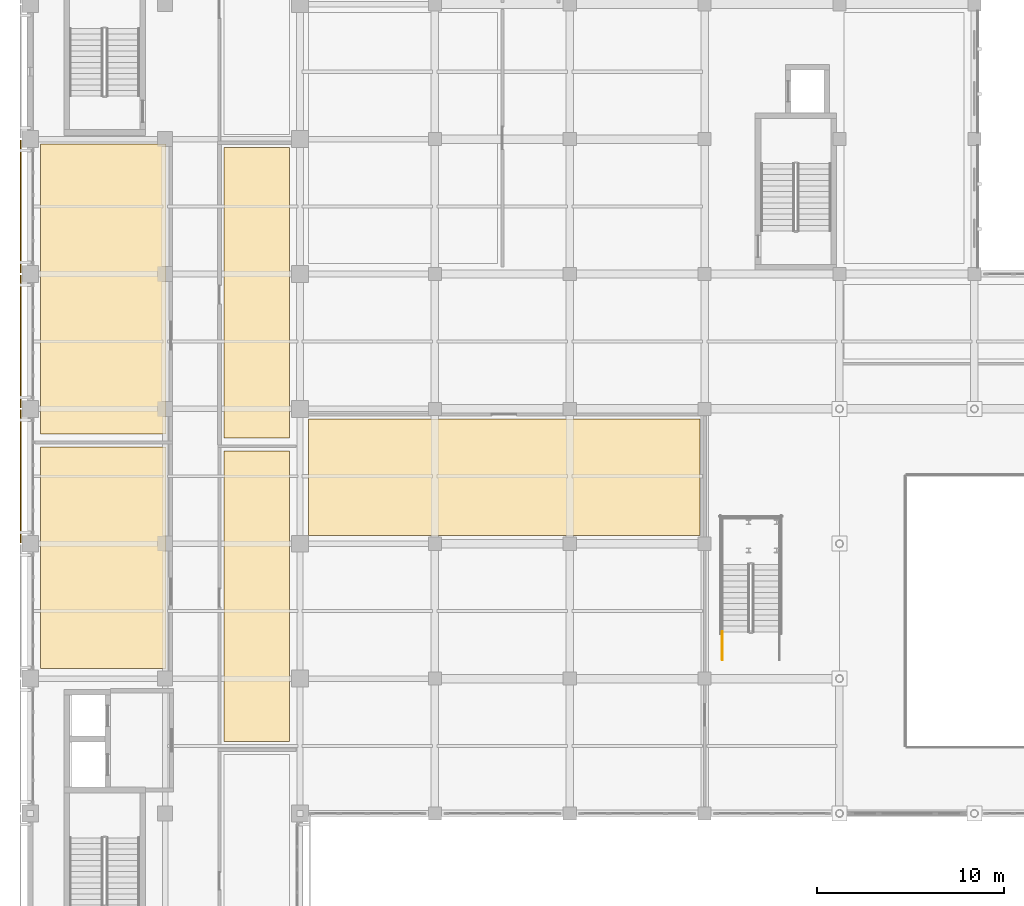
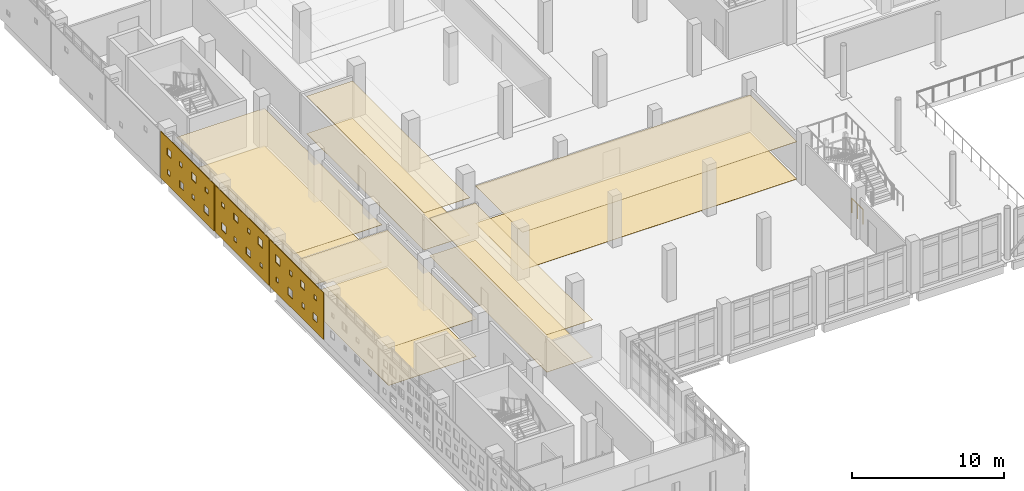
# One storey, part 53 of 62: 13 coverings, 1 railing.
"""IFC4 building model written with IfcOpenShell, lengths in metres."""

from ifc_helpers import new_model, si_unit, direction, frame, origin, origin_2d, place, context, subcontext, project, spatial, polyline, circle, outline, extrude, material, layer, layer_set, type_object, element, save


model = new_model("IFC4")

# Units and contexts
model_context = context("Model", 3, precision=1e-05, world=origin(), true_north=direction((0.0, 1.0)))
body_context = subcontext(model_context, "Body", "Model", "MODEL_VIEW")
ifc_project = project(units=[si_unit("LENGTHUNIT", "METRE"), si_unit("AREAUNIT", "SQUARE_METRE"), si_unit("VOLUMEUNIT", "CUBIC_METRE"), si_unit("PLANEANGLEUNIT", "RADIAN"), si_unit("MASSUNIT", "GRAM", prefix="KILO")], contexts=[model_context])

# Site, building, storey
site_placement = place(None, origin())
site = spatial("IfcSite", under=ifc_project, at=site_placement, CompositionType="ELEMENT")
building_placement = place(site_placement, origin())
building = spatial("IfcBuilding", under=site, at=building_placement, Name="Valkovuoma Quantum and Materials Research Institute", CompositionType="ELEMENT")
storey_placement = place(building_placement, frame((0.0, 0.0, 8.9599609375)))
storey = spatial("IfcBuildingStorey", under=building, at=storey_placement, Name="L02", CompositionType="ELEMENT", Elevation=8.9599609375)

# Coverings
ifc_material_1 = material(Name="Cleanable acoustic mineral-fibre suspended ceiling", Category="masonry")
ifc_layer_1 = layer(ifc_material_1, 0.02490234375)
ifc_layer_set_1 = layer_set([ifc_layer_1], Name="Cleanable acoustic mineral-fibre suspended ceiling")
covering_type_1 = type_object("IfcCoveringType", Name="Cov-CEIL-01", PredefinedType="CEILING", material=ifc_layer_set_1)
covering_1_placement = place(storey_placement, frame((0.0, 0.0, 3.0)))
element("IfcCovering", 1, at=covering_1_placement, inside=storey, type_object=covering_type_1, Name="L02 acoustic ceiling 0054", PredefinedType="CEILING", context=body_context, shape_type="SweptSolid", body=[
    extrude(outline(polyline([(0.550048828125, 43.75), (7.25, 43.75), (7.25, 55.550048828125), (0.550048828125, 55.550048828125), (0.550048828125, 43.75)])), origin(), (0.0, 0.0, 1.0), 0.025146484375),
])
covering_2_placement = place(storey_placement, frame((0.0, 0.0, 3.0)))
element("IfcCovering", 2, at=covering_2_placement, inside=storey, type_object=covering_type_1, Name="L02 acoustic ceiling 0055", PredefinedType="CEILING", context=body_context, shape_type="SweptSolid", body=[
    extrude(outline(polyline([(0.550048828125, 56.25), (7.25, 56.25), (7.25, 71.75), (0.550048828125, 71.75), (0.550048828125, 56.25)])), origin(), (0.0, 0.0, 1.0), 0.025146484375),
])
covering_3_placement = place(storey_placement, frame((0.0, 0.0, 3.0)))
element("IfcCovering", 3, at=covering_3_placement, inside=storey, type_object=covering_type_1, Name="L02 acoustic ceiling 0058", PredefinedType="CEILING", context=body_context, shape_type="SweptSolid", body=[
    extrude(outline(polyline([(10.35009765625, 39.85009765625), (13.85009765625, 39.85009765625), (13.85009765625, 55.35009765625), (10.35009765625, 55.35009765625), (10.35009765625, 39.85009765625)])), origin(), (0.0, 0.0, 1.0), 0.025146484375),
])
covering_4_placement = place(storey_placement, frame((0.0, 0.0, 3.0)))
element("IfcCovering", 4, at=covering_4_placement, inside=storey, type_object=covering_type_1, Name="L02 acoustic ceiling 0059", PredefinedType="CEILING", context=body_context, shape_type="SweptSolid", body=[
    extrude(outline(polyline([(10.35009765625, 56.050048828125), (13.85009765625, 56.050048828125), (13.85009765625, 71.550048828125), (10.35009765625, 71.550048828125), (10.35009765625, 56.050048828125)])), origin(), (0.0, 0.0, 1.0), 0.025146484375),
])
covering_5_placement = place(storey_placement, frame((0.0, 0.0, 3.0)))
element("IfcCovering", 5, at=covering_5_placement, inside=storey, type_object=covering_type_1, Name="L02 acoustic ceiling 0064", PredefinedType="CEILING", context=body_context, shape_type="SweptSolid", body=[
    extrude(outline(polyline([(14.85009765625, 50.85009765625), (35.75, 50.85009765625), (35.75, 57.050048828125), (14.85009765625, 57.050048828125), (14.85009765625, 50.85009765625)])), origin(), (0.0, 0.0, 1.0), 0.025146484375),
])
ifc_material_2 = material(Name="Seamless dissipative laboratory resin flooring", Category="masonry")
ifc_layer_2 = layer(ifc_material_2, 0.014892578125)
ifc_layer_set_2 = layer_set([ifc_layer_2], Name="Seamless dissipative laboratory resin flooring")
covering_type_2 = type_object("IfcCoveringType", Name="Cov-FLOR-01", PredefinedType="FLOORING", material=ifc_layer_set_2)
covering_6_placement = place(storey_placement, origin())
element("IfcCovering", 6, at=covering_6_placement, inside=storey, type_object=covering_type_2, Name="L02 resin flooring 0054", PredefinedType="FLOORING", context=body_context, shape_type="SweptSolid", body=[
    extrude(outline(polyline([(0.550048828125, 43.75), (7.25, 43.75), (7.25, 55.550048828125), (0.550048828125, 55.550048828125), (0.550048828125, 43.75)])), origin(), (0.0, 0.0, 1.0), 0.01513671875),
])
covering_7_placement = place(storey_placement, origin())
element("IfcCovering", 7, at=covering_7_placement, inside=storey, type_object=covering_type_2, Name="L02 resin flooring 0055", PredefinedType="FLOORING", context=body_context, shape_type="SweptSolid", body=[
    extrude(outline(polyline([(0.550048828125, 56.25), (7.25, 56.25), (7.25, 71.75), (0.550048828125, 71.75), (0.550048828125, 56.25)])), origin(), (0.0, 0.0, 1.0), 0.01513671875),
])
covering_8_placement = place(storey_placement, origin())
element("IfcCovering", 8, at=covering_8_placement, inside=storey, type_object=covering_type_2, Name="L02 resin flooring 0058", PredefinedType="FLOORING", context=body_context, shape_type="SweptSolid", body=[
    extrude(outline(polyline([(10.35009765625, 39.85009765625), (13.85009765625, 39.85009765625), (13.85009765625, 55.35009765625), (10.35009765625, 55.35009765625), (10.35009765625, 39.85009765625)])), origin(), (0.0, 0.0, 1.0), 0.01513671875),
])
covering_9_placement = place(storey_placement, origin())
element("IfcCovering", 9, at=covering_9_placement, inside=storey, type_object=covering_type_2, Name="L02 resin flooring 0059", PredefinedType="FLOORING", context=body_context, shape_type="SweptSolid", body=[
    extrude(outline(polyline([(10.35009765625, 56.050048828125), (13.85009765625, 56.050048828125), (13.85009765625, 71.550048828125), (10.35009765625, 71.550048828125), (10.35009765625, 56.050048828125)])), origin(), (0.0, 0.0, 1.0), 0.01513671875),
])
covering_10_placement = place(storey_placement, origin())
element("IfcCovering", 10, at=covering_10_placement, inside=storey, type_object=covering_type_2, Name="L02 resin flooring 0064", PredefinedType="FLOORING", context=body_context, shape_type="SweptSolid", body=[
    extrude(outline(polyline([(14.85009765625, 50.85009765625), (35.75, 50.85009765625), (35.75, 57.050048828125), (14.85009765625, 57.050048828125), (14.85009765625, 50.85009765625)])), origin(), (0.0, 0.0, 1.0), 0.01513671875),
])
ifc_material_3 = material(Name="White powder-coated aluminium architectural panel", Category="aluminium")
ifc_layer_3 = layer(ifc_material_3, 0.054931640625)
ifc_layer_set_3 = layer_set([ifc_layer_3], Name="White powder-coated aluminium architectural panel")
covering_type_3 = type_object("IfcCoveringType", Name="Cov-PERF-MID", PredefinedType="CLADDING", material=ifc_layer_set_3)
covering_11_placement = place(storey_placement, frame((-0.52001953125, 50.4599609375, 0.02001953125), z_axis=(0.0, 0.0, 1.0), x_axis=(0.0, 1.0, 0.0)))
element("IfcCovering", 11, at=covering_11_placement, inside=storey, type_object=covering_type_3, Name="L02 graduated perforated white screen W-0019", PredefinedType="CLADDING", context=body_context, shape_type="SweptSolid", body=[
    extrude(outline(polyline([(0.0, 0.0), (7.080078125, 0.0), (7.080078125, 3.77001953125), (0.0, 3.77001953125), (0.0, 0.0)]), holes=[polyline([(0.862548828125, 0.83251953125), (0.862548828125, 1.37255859375), (1.402587890625, 1.37255859375), (1.402587890625, 0.83251953125), (0.862548828125, 0.83251953125)]), polyline([(0.902587890625, 2.547607421875), (0.902587890625, 2.887451171875), (1.242431640625, 2.887451171875), (1.242431640625, 2.547607421875), (0.902587890625, 2.547607421875)]), polyline([(2.467529296875, 0.91259765625), (2.467529296875, 1.29248046875), (2.847412109375, 1.29248046875), (2.847412109375, 0.91259765625), (2.467529296875, 0.91259765625)]), polyline([(2.507568359375, 2.447509765625), (2.507568359375, 2.987548828125), (3.047607421875, 2.987548828125), (3.047607421875, 2.447509765625), (2.507568359375, 2.447509765625)]), polyline([(4.052490234375, 0.79248046875), (4.052490234375, 1.41259765625), (4.672607421875, 1.41259765625), (4.672607421875, 0.79248046875), (4.052490234375, 0.79248046875)]), polyline([(4.112548828125, 2.527587890625), (4.112548828125, 2.907470703125), (4.492431640625, 2.907470703125), (4.492431640625, 2.527587890625), (4.112548828125, 2.527587890625)]), polyline([(5.8974609375, 0.9326171875), (5.8974609375, 1.2724609375), (6.237548828125, 1.2724609375), (6.237548828125, 0.9326171875), (5.8974609375, 0.9326171875)]), polyline([(5.697509765625, 2.407470703125), (5.697509765625, 3.027587890625), (6.3173828125, 3.027587890625), (6.3173828125, 2.407470703125), (5.697509765625, 2.407470703125)])]), frame((0.0, 0.02734375, 0.0), z_axis=(0.0, -1.0, 0.0), x_axis=(1.0, 0.0, 0.0)), (0.0, 0.0, 1.0), 0.054931640625),
])
covering_12_placement = place(storey_placement, frame((-0.52001953125, 57.659912109375, 0.02001953125), z_axis=(0.0, 0.0, 1.0), x_axis=(0.0, 1.0, 0.0)))
element("IfcCovering", 12, at=covering_12_placement, inside=storey, type_object=covering_type_3, Name="L02 graduated perforated white screen W-0020", PredefinedType="CLADDING", context=body_context, shape_type="SweptSolid", body=[
    extrude(outline(polyline([(0.0, 0.0), (7.080078125, 0.0), (7.080078125, 3.77001953125), (0.0, 3.77001953125), (0.0, 0.0)]), holes=[polyline([(0.842529296875, 0.83251953125), (0.842529296875, 1.172607421875), (1.1826171875, 1.172607421875), (1.1826171875, 0.83251953125), (0.842529296875, 0.83251953125)]), polyline([(0.822509765625, 2.45751953125), (0.822509765625, 3.077392578125), (1.4423828125, 3.077392578125), (1.4423828125, 2.45751953125), (0.822509765625, 2.45751953125)]), polyline([(2.447509765625, 0.732421875), (2.447509765625, 1.2724609375), (2.987548828125, 1.2724609375), (2.987548828125, 0.732421875), (2.447509765625, 0.732421875)]), polyline([(2.487548828125, 2.597412109375), (2.487548828125, 2.9375), (2.827392578125, 2.9375), (2.827392578125, 2.597412109375), (2.487548828125, 2.597412109375)]), polyline([(4.232421875, 0.8125), (4.232421875, 1.1923828125), (4.612548828125, 1.1923828125), (4.612548828125, 0.8125), (4.232421875, 0.8125)]), polyline([(4.092529296875, 2.49755859375), (4.092529296875, 3.03759765625), (4.632568359375, 3.03759765625), (4.632568359375, 2.49755859375), (4.092529296875, 2.49755859375)]), polyline([(5.637451171875, 0.6923828125), (5.637451171875, 1.3125), (6.257568359375, 1.3125), (6.257568359375, 0.6923828125), (5.637451171875, 0.6923828125)]), polyline([(5.87744140625, 2.577392578125), (5.87744140625, 2.95751953125), (6.257568359375, 2.95751953125), (6.257568359375, 2.577392578125), (5.87744140625, 2.577392578125)])]), frame((0.0, 0.02734375, 0.0), z_axis=(0.0, -1.0, 0.0), x_axis=(1.0, 0.0, 0.0)), (0.0, 0.0, 1.0), 0.054931640625),
])
covering_13_placement = place(storey_placement, frame((-0.52001953125, 64.860107421875, 0.02001953125), z_axis=(0.0, 0.0, 1.0), x_axis=(0.0, 1.0, 0.0)))
element("IfcCovering", 13, at=covering_13_placement, inside=storey, type_object=covering_type_3, Name="L02 graduated perforated white screen W-0021", PredefinedType="CLADDING", context=body_context, shape_type="SweptSolid", body=[
    extrude(outline(polyline([(0.0, 0.0), (7.079833984375, 0.0), (7.079833984375, 3.77001953125), (0.0, 3.77001953125), (0.0, 0.0)]), holes=[polyline([(0.762451171875, 0.742431640625), (0.762451171875, 1.362548828125), (1.382568359375, 1.362548828125), (1.382568359375, 0.742431640625), (0.762451171875, 0.742431640625)]), polyline([(0.822509765625, 2.4775390625), (0.822509765625, 2.857421875), (1.202392578125, 2.857421875), (1.202392578125, 2.4775390625), (0.822509765625, 2.4775390625)]), polyline([(2.607421875, 0.882568359375), (2.607421875, 1.222412109375), (2.947509765625, 1.222412109375), (2.947509765625, 0.882568359375), (2.607421875, 0.882568359375)]), polyline([(2.407470703125, 2.357421875), (2.407470703125, 2.9775390625), (3.027587890625, 2.9775390625), (3.027587890625, 2.357421875), (2.407470703125, 2.357421875)]), polyline([(4.032470703125, 0.782470703125), (4.032470703125, 1.322509765625), (4.572509765625, 1.322509765625), (4.572509765625, 0.782470703125), (4.032470703125, 0.782470703125)]), polyline([(4.25244140625, 2.49755859375), (4.25244140625, 2.83740234375), (4.592529296875, 2.83740234375), (4.592529296875, 2.49755859375), (4.25244140625, 2.49755859375)]), polyline([(5.8173828125, 0.862548828125), (5.8173828125, 1.242431640625), (6.197509765625, 1.242431640625), (6.197509765625, 0.862548828125), (5.8173828125, 0.862548828125)]), polyline([(5.677490234375, 2.3974609375), (5.677490234375, 2.9375), (6.217529296875, 2.9375), (6.217529296875, 2.3974609375), (5.677490234375, 2.3974609375)])]), frame((0.0, 0.02734375, 0.0), z_axis=(0.0, -1.0, 0.0), x_axis=(1.0, 0.0, 0.0)), (0.0, 0.0, 1.0), 0.054931640625),
])

# Railing
ifc_material_4 = material(Name="Painted steel stair balustrade", Category="steel")
railing_type = type_object("IfcRailingType", Name="Rail-GRD-ST", PredefinedType="BALUSTRADE", material=ifc_material_4)
railing_placement = place(storey_placement, frame((36.949951171875, 44.199951171875, 0.0)))
element("IfcRailing", 14, at=railing_placement, inside=storey, type_object=railing_type, Name="L02 ST-5 stair guard 9", PredefinedType="BALUSTRADE", context=body_context, shape_type="SweptSolid", body=[
    extrude(circle(Radius=0.02392578125, at=origin_2d()), frame((0.0, 0.0, 1.17578125), z_axis=(0.0, 1.0, 0.0), x_axis=(-1.0, 0.0, 0.0)), (0.0, 0.0, 1.0), 1.5),
    extrude(circle(Radius=0.02099609375, at=origin_2d()), origin(), (0.0, 0.0, 1.0), 1.15185546875),
    extrude(circle(Radius=0.02099609375, at=origin_2d()), frame((0.0, 0.75, 0.0)), (0.0, 0.0, 1.0), 1.15185546875),
    extrude(circle(Radius=0.02099609375, at=origin_2d()), frame((0.0, 1.5, 0.0)), (0.0, 0.0, 1.0), 1.15185546875),
])

save(model, "model.ifc")
